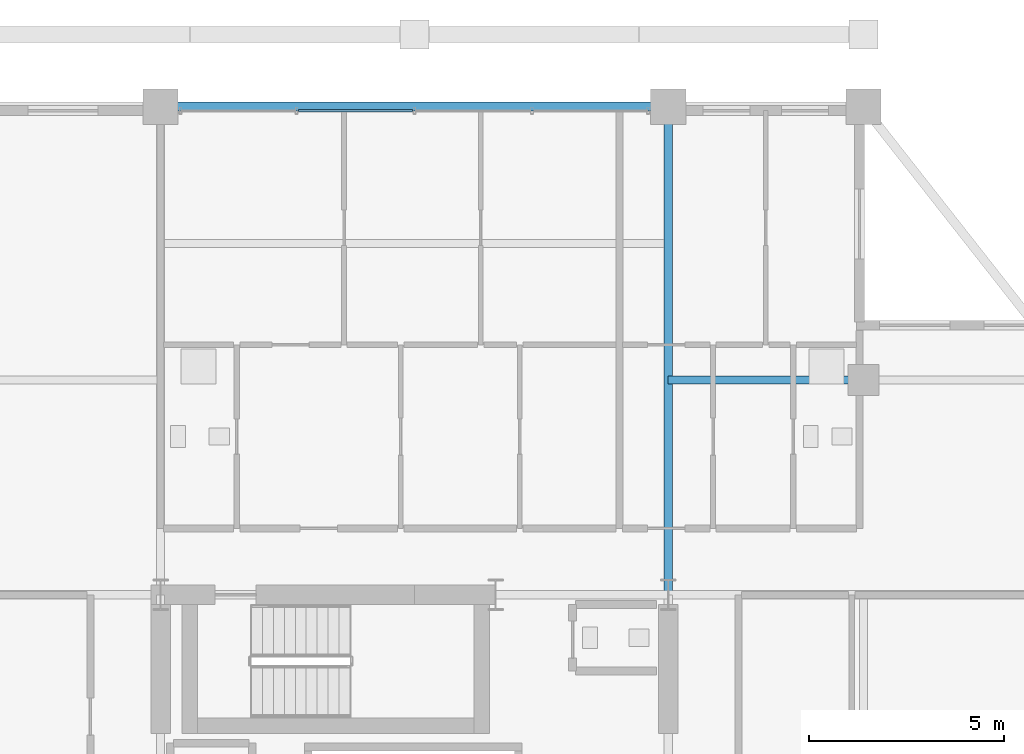
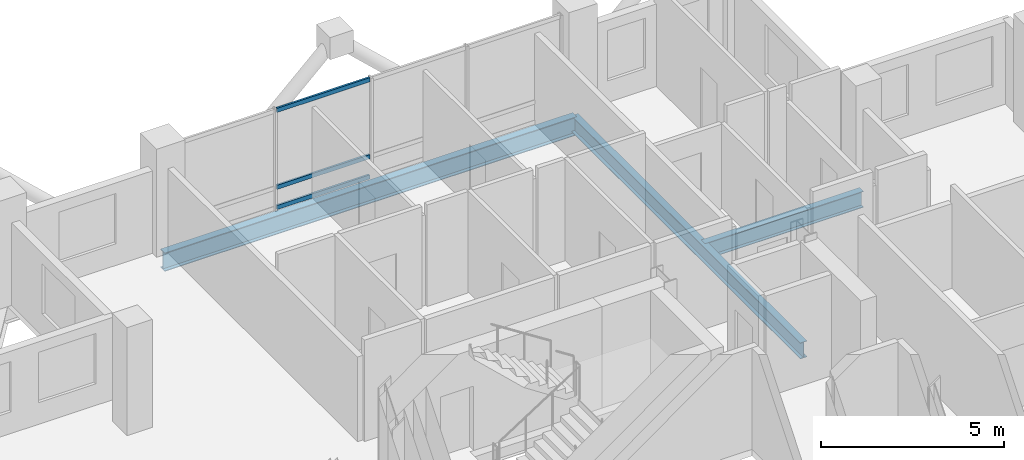
# One storey, part 15 of 23: 3 beams, 3 members, 1 element without a shape of its own.
"""IFC4 building model written with IfcOpenShell, lengths in metres."""

from ifc_helpers import new_model, si_unit, direction, frame, origin, origin_2d, place, context, subcontext, project, spatial, hollow_rectangle, i_section, extrude, material, layer, layer_set, material_profile, profile_set, type_object, element, aggregate, save


model = new_model("IFC4")

# Units and contexts
model_context = context("Model", 3, precision=1e-05, world=origin(), true_north=direction((0.0, 1.0)))
body_context = subcontext(model_context, "Body", "Model", "MODEL_VIEW")
ifc_project = project(units=[si_unit("LENGTHUNIT", "METRE"), si_unit("AREAUNIT", "SQUARE_METRE"), si_unit("VOLUMEUNIT", "CUBIC_METRE"), si_unit("PLANEANGLEUNIT", "RADIAN"), si_unit("MASSUNIT", "GRAM", prefix="KILO")], contexts=[model_context])

# Site, building, storey
site_placement = place(None, origin())
site = spatial("IfcSite", under=ifc_project, at=site_placement, CompositionType="ELEMENT")
building_placement = place(site_placement, origin())
building = spatial("IfcBuilding", under=site, at=building_placement, Name="Barlavira Tower and Art Museum", CompositionType="ELEMENT")
storey_placement = place(building_placement, frame((0.0, 0.0, 279.89990234375)))
storey = spatial("IfcBuildingStorey", under=building, at=storey_placement, Name="L73", CompositionType="ELEMENT", Elevation=279.89990234375)

# Curtain wall, members
ifc_material_1 = material(Name="Low-iron coastal laminated glass", Category="glass")
ifc_layer = layer(ifc_material_1, 0.2099609375, Name="Low-iron coastal laminated glass")
ifc_layer_set = layer_set([ifc_layer], Name="Low-iron coastal laminated glass")
curtain_wall_type = type_object("IfcCurtainWallType", Name="Pale-Metal Unitised Curtain Wall Zone 4", PredefinedType="NOTDEFINED", material=ifc_layer_set)
curtain_wall_placement = place(storey_placement, origin())
curtain_wall = element("IfcCurtainWall", 1, at=curtain_wall_placement, inside=storey, type_object=curtain_wall_type, Name="L73 Curtain Wall CW4-L73-N-B2", PredefinedType="NOTDEFINED")
ifc_material_2 = material(Name="Pale anodised aluminium", Category="aluminium")
ifc_material_profile_1 = material_profile(ifc_material_2, hollow_rectangle(XDim=0.06494140625, YDim=0.139892578125, WallThickness=0.00390625, at=origin_2d()), Name="ALU-TRAN 65x140x4")
ifc_profile_set_1 = profile_set([ifc_material_profile_1], Name="Pale anodised aluminium")
member_type = type_object("IfcMemberType", Name="Curtain Wall Pale-Metal Transom 65x140", PredefinedType="USERDEFINED", material=ifc_profile_set_1)
member_1_placement = place(storey_placement, frame((-0.044921875, 19.89990234375, 0.070068359375), z_axis=(-1.0, 0.0, 0.0), x_axis=(0.0, -1.0, 0.0)))
member_1 = element("IfcMember", 2, at=member_1_placement, type_object=member_type, Name="CW4-L73-N-B2 Transom 2.1", ObjectType="TRANSOM", PredefinedType="USERDEFINED", context=body_context, shape_type="SweptSolid", body=[
    extrude(hollow_rectangle(XDim=0.06494140625, YDim=0.139892578125, WallThickness=0.00390625, at=origin_2d()), origin(), (0.0, 0.0, 1.0), 2.925048828125),
])
member_2_placement = place(storey_placement, frame((-0.044921875, 19.89990234375, 0.744140625), z_axis=(-1.0, 0.0, 0.0), x_axis=(0.0, -1.0, 0.0)))
member_2 = element("IfcMember", 3, at=member_2_placement, type_object=member_type, Name="CW4-L73-N-B2 Transom 2.2", ObjectType="TRANSOM", PredefinedType="USERDEFINED", context=body_context, shape_type="SweptSolid", body=[
    extrude(hollow_rectangle(XDim=0.06494140625, YDim=0.139892578125, WallThickness=0.00390625, at=origin_2d()), origin(), (0.0, 0.0, 1.0), 2.925048828125),
])
member_3_placement = place(storey_placement, frame((-0.044921875, 19.89990234375, 3.31005859375), z_axis=(-1.0, 0.0, 0.0), x_axis=(0.0, -1.0, 0.0)))
member_3 = element("IfcMember", 4, at=member_3_placement, type_object=member_type, Name="CW4-L73-N-B2 Transom 2.3", ObjectType="TRANSOM", PredefinedType="USERDEFINED", context=body_context, shape_type="SweptSolid", body=[
    extrude(hollow_rectangle(XDim=0.06494140625, YDim=0.139892578125, WallThickness=0.00390625, at=origin_2d()), origin(), (0.0, 0.0, 1.0), 2.925048828125),
])
aggregate(curtain_wall, [member_1, member_2, member_3])

# Beams
ifc_material_3 = material(Name="Steel S355", Category="steel")
ifc_material_profile_2 = material_profile(ifc_material_3, i_section(OverallWidth=0.22998046875, OverallDepth=0.616943359375, WebThickness=0.01318359375, FlangeThickness=0.022216796875, at=origin_2d()), Name="W610x140.0")
ifc_profile_set_2 = profile_set([ifc_material_profile_2], Name="Steel S355")
beam_type_1 = type_object("IfcBeamType", Name="Upper Shaft Spandrel Edge Beam W610x140 Steel S355", PredefinedType="SPANDREL", material=ifc_profile_set_2)
beam_1_placement = place(storey_placement, frame((-6.5, 20.0, -0.5283203125), z_axis=(1.0, 0.0, 0.0), x_axis=(0.0, 1.0, 0.0)))
element("IfcBeam", 5, at=beam_1_placement, inside=storey, type_object=beam_type_1, Name="L73 Spandrel 10", PredefinedType="SPANDREL", context=body_context, shape_type="SweptSolid", body=[
    extrude(i_section(OverallWidth=0.22998046875, OverallDepth=0.616943359375, WebThickness=0.01318359375, FlangeThickness=0.022216796875, at=origin_2d()), origin(), (0.0, 0.0, 1.0), 13.0),
])
ifc_material_profile_3 = material_profile(ifc_material_3, i_section(OverallWidth=0.2109375, OverallDepth=0.5390625, WebThickness=0.01171875, FlangeThickness=0.018798828125, at=origin_2d()), Name="W530x109.0")
ifc_profile_set_3 = profile_set([ifc_material_profile_3], Name="Steel S355")
beam_type_2 = type_object("IfcBeamType", Name="Zone 3-4 Primary Floor Girder W530x109 Steel S355", PredefinedType="BEAM", material=ifc_profile_set_3)
beam_2_placement = place(storey_placement, frame((6.5, 7.5, -0.489501953125), z_axis=(0.0, 1.0, 0.0), x_axis=(-1.0, 0.0, 0.0)))
element("IfcBeam", 6, at=beam_2_placement, inside=storey, type_object=beam_type_2, Name="L73 Girder R-N2", PredefinedType="BEAM", context=body_context, shape_type="SweptSolid", body=[
    extrude(i_section(OverallWidth=0.2109375, OverallDepth=0.5390625, WebThickness=0.01171875, FlangeThickness=0.018798828125, at=origin_2d()), origin(), (0.0, 0.0, 1.0), 12.5),
])
beam_3_placement = place(storey_placement, frame((6.5, 13.0, -0.489501953125), z_axis=(1.0, 0.0, 0.0), x_axis=(0.0, 1.0, 0.0)))
element("IfcBeam", 7, at=beam_3_placement, inside=storey, type_object=beam_type_2, Name="L73 Girder I-N3", PredefinedType="BEAM", context=body_context, shape_type="SweptSolid", body=[
    extrude(i_section(OverallWidth=0.2109375, OverallDepth=0.5390625, WebThickness=0.01171875, FlangeThickness=0.018798828125, at=origin_2d()), origin(), (0.0, 0.0, 1.0), 5.0),
])

save(model, "model.ifc")
